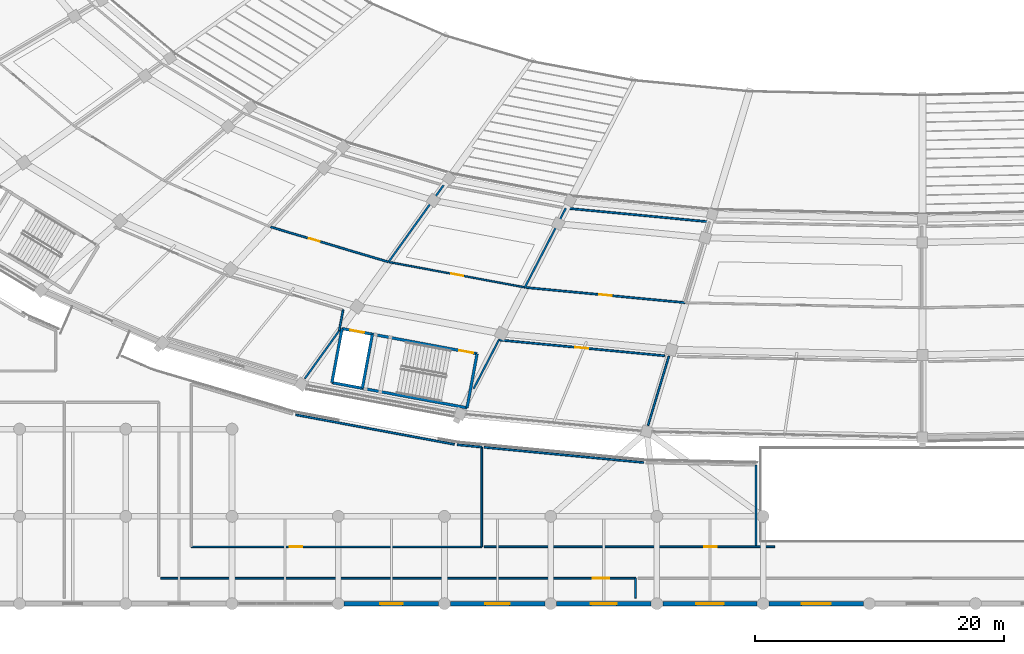
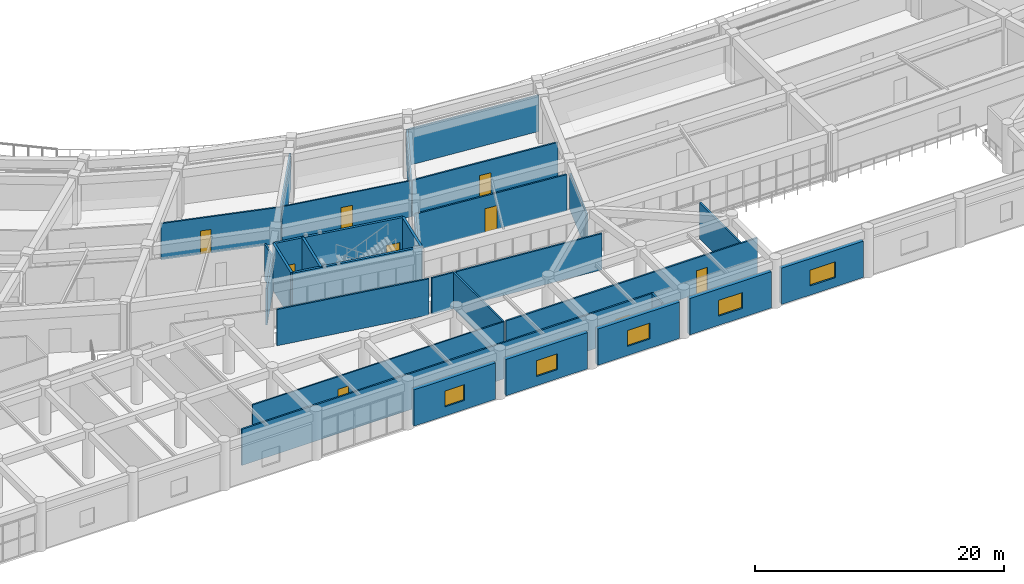
# One storey, part 97 of 152: 30 walls, 9 doors, 5 windows, 14 openings.
"""IFC4 building model written with IfcOpenShell, lengths in metres."""

from ifc_helpers import new_model, si_unit, direction, frame, frame_2d, origin, place, context, subcontext, project, spatial, rectangle, extrude, material, layer, layer_set, type_object, element, fill, save


model = new_model("IFC4")

# Units and contexts
model_context = context("Model", 3, precision=1e-05, world=origin(), true_north=direction((0.0, 1.0)))
body_context = subcontext(model_context, "Body", "Model", "MODEL_VIEW")
ifc_project = project(units=[si_unit("LENGTHUNIT", "METRE"), si_unit("AREAUNIT", "SQUARE_METRE"), si_unit("VOLUMEUNIT", "CUBIC_METRE"), si_unit("PLANEANGLEUNIT", "RADIAN"), si_unit("MASSUNIT", "GRAM", prefix="KILO")], contexts=[model_context])

# Site, building, storey
site_placement = place(None, origin())
site = spatial("IfcSite", under=ifc_project, at=site_placement, CompositionType="ELEMENT")
building_placement = place(site_placement, origin())
building = spatial("IfcBuilding", under=site, at=building_placement, Name="Mphavela Belvedere Stadium", CompositionType="ELEMENT")
storey_placement = place(building_placement, frame((0.0, 0.0, 5.39990234375)))
storey = spatial("IfcBuildingStorey", under=building, at=storey_placement, Name="L01", CompositionType="ELEMENT", Elevation=5.39990234375)

# Walls
ifc_material_1 = material(Name="Concrete C40/50", Category="concrete")
ifc_layer_1 = layer(ifc_material_1, 0.219970703125)
ifc_layer_set_1 = layer_set([ifc_layer_1], Name="Concrete C40/50")
wall_type_1 = type_object("IfcWallType", Name="WAL-CORE-SHEAR-220", PredefinedType="SHEAR", material=ifc_layer_set_1)
wall_1_placement = place(storey_placement, frame((78.477294921875, 15.707275390625, 0.0), z_axis=(0.0, 0.0, 1.0), x_axis=(-0.983093434234, 0.183104613723, 0.0)))
element("IfcWall", 1, at=wall_1_placement, inside=storey, type_object=wall_type_1, Name="Core C11 shear wall L01 rear", PredefinedType="SHEAR", context=body_context, shape_type="SweptSolid", body=[
    extrude(rectangle(XDim=11.02001953125, YDim=0.219970703125, at=frame_2d((5.510009765625, 0.0))), origin(), (0.0, 0.0, 1.0), 4.550048828125),
])
for number, where, z_axis, x_axis, name in (
    (2, (79.28466796875, 20.042724609375, 0.0), (0.0, 0.0, 1.0), (-0.183078394814, -0.983098317236, 0.0), "Core C11 shear wall L01 left"),
    (3, (68.450927734375, 22.060546875, 0.0), (0.0, 0.0, 1.0), (-0.183078394814, -0.983098317236, 0.0), "Core C11 shear wall L01 right"),
):
    element("IfcWall", number, at=place(storey_placement, frame(where, z_axis=z_axis, x_axis=x_axis)), inside=storey, type_object=wall_type_1, Name=name, PredefinedType="SHEAR", context=body_context, shape_type="SweptSolid", body=[
        extrude(rectangle(XDim=4.409912109375, YDim=0.219970703125, at=frame_2d((2.205078125, 0.0))), origin(), (0.0, 0.0, 1.0), 4.550048828125),
    ])

# Wall, openings, doors
wall_2_placement = place(storey_placement, frame((79.28466796875, 20.042724609375, 0.0), z_axis=(0.0, 0.0, 1.0), x_axis=(-0.983093434234, 0.183104613723, 0.0)))
wall_2 = element("IfcWall", 4, at=wall_2_placement, inside=storey, type_object=wall_type_1, Name="Core C11 shear wall L01 front", PredefinedType="SHEAR", context=body_context, shape_type="SweptSolid", body=[
    extrude(rectangle(XDim=11.02001953125, YDim=0.219970703125, at=frame_2d((5.510009765625, 0.0))), origin(), (0.0, 0.0, 1.0), 4.550048828125),
])
opening_1_placement = place(wall_2_placement, frame((0.300048828125, 0.0, 0.0)))
opening_1 = element("IfcOpeningElement", 5, at=opening_1_placement, cuts=wall_2, Name="Opening SD-058", PredefinedType="OPENING", context=body_context, shape_type="SweptSolid", body=[
    extrude(rectangle(XDim=1.14990234375, YDim=2.14990234375, at=frame_2d((0.574951171875, 1.074951171875))), frame((0.0, 0.1201171875, 0.0), z_axis=(0.0, -1.0, 0.0), x_axis=(1.0, 0.0, 0.0)), (0.0, 0.0, 1.0), 0.239990234375),
])
opening_2_placement = place(wall_2_placement, frame((9.22998046875, 0.0, 0.0)))
opening_2 = element("IfcOpeningElement", 6, at=opening_2_placement, cuts=wall_2, Name="Opening LD-058", PredefinedType="OPENING", context=body_context, shape_type="SweptSolid", body=[
    extrude(rectangle(XDim=1.10009765625, YDim=2.14990234375, at=frame_2d((0.550048828125, 1.074951171875))), frame((0.0, 0.1201171875, 0.0), z_axis=(0.0, -1.0, 0.0), x_axis=(1.0, 0.0, 0.0)), (0.0, 0.0, 1.0), 0.239990234375),
])
ifc_material_2 = material(Name="Stainless steel center-parting lift landing door", Category="steel")
door_type_1 = type_object("IfcDoorType", Name="DR-LIFT-SLIDE-1100", OperationType="NOTDEFINED", PredefinedType="DOOR", material=ifc_material_2)
door_1_placement = place(opening_2_placement, origin())
door_1 = element("IfcDoor", 7, at=door_1_placement, inside=storey, type_object=door_type_1, Name="Lift landing sliding door PL05 L01", OperationType="DOUBLE_DOOR_SLIDING", OverallHeight=2.14990234375, OverallWidth=1.10009765625, PredefinedType="DOOR", context=body_context, shape_type="SweptSolid", body=[
    extrude(rectangle(XDim=1.10009765625, YDim=2.14990234375, at=frame_2d((0.550048828125, 1.074951171875))), frame((0.0, 0.02490234375, 0.0), z_axis=(0.0, -1.0, 0.0), x_axis=(1.0, 0.0, 0.0)), (0.0, 0.0, 1.0), 0.050048828125),
])
fill(opening_2, door_1)
ifc_material_3 = material(Name="Steel acoustic fire-resisting stair doorset", Category="steel")
door_type_2 = type_object("IfcDoorType", Name="DR-STAIR-FIRE-1150", OperationType="NOTDEFINED", PredefinedType="DOOR", material=ifc_material_3)
door_2_placement = place(opening_1_placement, origin())
door_2 = element("IfcDoor", 8, at=door_2_placement, inside=storey, type_object=door_type_2, Name="Escape stair fire door C11 L01", OperationType="SINGLE_SWING_RIGHT", OverallHeight=2.14990234375, OverallWidth=1.14990234375, PredefinedType="DOOR", context=body_context, shape_type="SweptSolid", body=[
    extrude(rectangle(XDim=1.14990234375, YDim=2.14990234375, at=frame_2d((0.574951171875, 1.074951171875))), frame((0.0, 0.02490234375, 0.0), z_axis=(0.0, -1.0, 0.0), x_axis=(1.0, 0.0, 0.0)), (0.0, 0.0, 1.0), 0.050048828125),
])
fill(opening_1, door_2)

# Wall
wall_3_placement = place(storey_placement, frame((70.888916015625, 21.6064453125, 0.0), z_axis=(0.0, 0.0, 1.0), x_axis=(-0.183078394814, -0.983098317236, 0.0)))
element("IfcWall", 9, at=wall_3_placement, inside=storey, type_object=wall_type_1, Name="Core C11 shear wall L01 div", PredefinedType="SHEAR", context=body_context, shape_type="SweptSolid", body=[
    extrude(rectangle(XDim=4.409912109375, YDim=0.219970703125, at=frame_2d((2.205078125, 0.0))), origin(), (0.0, 0.0, 1.0), 4.550048828125),
])

# Wall, opening, window
ifc_material_4 = material(Name="Honed ashlar limestone masonry", Category="masonry")
ifc_layer_2 = layer(ifc_material_4, 0.35009765625)
ifc_layer_set_2 = layer_set([ifc_layer_2], Name="Honed ashlar limestone masonry")
wall_type_2 = type_object("IfcWallType", Name="WAL-EXT-ASHLAR-350", PredefinedType="STANDARD", material=ifc_layer_set_2)
wall_4_placement = place(storey_placement, frame((76.194091796875, 0.0, 0.0), z_axis=(0.0, 0.0, 1.0), x_axis=(-1.0, 0.0, 0.0)))
wall_4 = element("IfcWall", 10, at=wall_4_placement, inside=storey, type_object=wall_type_2, Name="South Axial Triumphal Peristyle Portico outer facade bay L01-09", PredefinedType="STANDARD", context=body_context, shape_type="SweptSolid", body=[
    extrude(rectangle(XDim=7.572998046875, YDim=0.35009765625, at=frame_2d((3.78662109375, 0.0))), origin(), (0.0, 0.0, 1.0), 3.56005859375),
])
opening_3_placement = place(wall_4_placement, frame((2.886474609375, 0.0, 0.89990234375)))
opening_3 = element("IfcOpeningElement", 11, at=opening_3_placement, cuts=wall_4, Name="Opening W-050", PredefinedType="OPENING", context=body_context, shape_type="SweptSolid", body=[
    extrude(rectangle(XDim=1.800048828125, YDim=1.550048828125, at=frame_2d((0.89990234375, 0.77490234375))), frame((0.0, 0.18505859375, 0.0), z_axis=(0.0, -1.0, 0.0), x_axis=(1.0, 0.0, 0.0)), (0.0, 0.0, 1.0), 0.3701171875),
])
ifc_material_5 = material(Name="Bronze-anodised thermally broken aluminium window", Category="aluminium")
window_type_1 = type_object("IfcWindowType", Name="WIN-EXT-06", PartitioningType="SINGLE_PANEL", PredefinedType="WINDOW", material=ifc_material_5)
window_1_placement = place(opening_3_placement, origin())
window_1 = element("IfcWindow", 12, at=window_1_placement, inside=storey, type_object=window_type_1, Name="South Axial Triumphal Peristyle Portico classical window W-050", OverallHeight=1.550048828125, OverallWidth=1.800048828125, PartitioningType="SINGLE_PANEL", PredefinedType="WINDOW", context=body_context, shape_type="SweptSolid", body=[
    extrude(rectangle(XDim=1.800048828125, YDim=1.550048828125, at=frame_2d((0.89990234375, 0.77490234375))), frame((0.0, 0.030029296875, 0.0), z_axis=(0.0, -1.0, 0.0), x_axis=(1.0, 0.0, 0.0)), (0.0, 0.0, 1.0), 0.06005859375),
])
fill(opening_3, window_1)

wall_5_placement = place(storey_placement, frame((84.7119140625, 0.0, 0.0), z_axis=(0.0, 0.0, 1.0), x_axis=(-1.0, 0.0, 0.0)))
wall_5 = element("IfcWall", 13, at=wall_5_placement, inside=storey, type_object=wall_type_2, Name="South Axial Triumphal Peristyle Portico outer facade bay L01-10", PredefinedType="STANDARD", context=body_context, shape_type="SweptSolid", body=[
    extrude(rectangle(XDim=7.572021484375, YDim=0.35009765625, at=frame_2d((3.7861328125, 0.0))), origin(), (0.0, 0.0, 1.0), 3.56005859375),
])
opening_4_placement = place(wall_5_placement, frame((2.81591796875, 0.0, 0.89990234375)))
opening_4 = element("IfcOpeningElement", 14, at=opening_4_placement, cuts=wall_5, Name="Opening W-051", PredefinedType="OPENING", context=body_context, shape_type="SweptSolid", body=[
    extrude(rectangle(XDim=1.93994140625, YDim=1.550048828125, at=frame_2d((0.969970703125, 0.77490234375))), frame((0.0, 0.18505859375, 0.0), z_axis=(0.0, -1.0, 0.0), x_axis=(1.0, 0.0, 0.0)), (0.0, 0.0, 1.0), 0.3701171875),
])
ifc_material_6 = material(Name="Bronze-anodised thermally broken aluminium window", Category="aluminium")
window_type_2 = type_object("IfcWindowType", Name="WIN-EXT-07", PartitioningType="SINGLE_PANEL", PredefinedType="WINDOW", material=ifc_material_6)
window_2_placement = place(opening_4_placement, origin())
window_2 = element("IfcWindow", 15, at=window_2_placement, inside=storey, type_object=window_type_2, Name="South Axial Triumphal Peristyle Portico classical window W-051", OverallHeight=1.550048828125, OverallWidth=1.93994140625, PartitioningType="SINGLE_PANEL", PredefinedType="WINDOW", context=body_context, shape_type="SweptSolid", body=[
    extrude(rectangle(XDim=1.93994140625, YDim=1.550048828125, at=frame_2d((0.969970703125, 0.77490234375))), frame((0.0, 0.030029296875, 0.0), z_axis=(0.0, -1.0, 0.0), x_axis=(1.0, 0.0, 0.0)), (0.0, 0.0, 1.0), 0.06005859375),
])
fill(opening_4, window_2)

wall_6_placement = place(storey_placement, frame((93.23095703125, 0.0, 0.0), z_axis=(0.0, 0.0, 1.0), x_axis=(-1.0, 0.0, 0.0)))
wall_6 = element("IfcWall", 16, at=wall_6_placement, inside=storey, type_object=wall_type_2, Name="South Axial Triumphal Peristyle Portico outer facade bay L01-11", PredefinedType="STANDARD", context=body_context, shape_type="SweptSolid", body=[
    extrude(rectangle(XDim=7.572998046875, YDim=0.35009765625, at=frame_2d((3.78662109375, 0.0))), origin(), (0.0, 0.0, 1.0), 3.56005859375),
])
opening_5_placement = place(wall_6_placement, frame((2.74658203125, 0.0, 0.89990234375)))
opening_5 = element("IfcOpeningElement", 17, at=opening_5_placement, cuts=wall_6, Name="Opening W-052", PredefinedType="OPENING", context=body_context, shape_type="SweptSolid", body=[
    extrude(rectangle(XDim=2.080078125, YDim=1.550048828125, at=frame_2d((1.0400390625, 0.77490234375))), frame((0.0, 0.18505859375, 0.0), z_axis=(0.0, -1.0, 0.0), x_axis=(1.0, 0.0, 0.0)), (0.0, 0.0, 1.0), 0.3701171875),
])
ifc_material_7 = material(Name="Bronze-anodised thermally broken aluminium window", Category="aluminium")
window_type_3 = type_object("IfcWindowType", Name="WIN-EXT-08", PartitioningType="SINGLE_PANEL", PredefinedType="WINDOW", material=ifc_material_7)
window_3_placement = place(opening_5_placement, origin())
window_3 = element("IfcWindow", 18, at=window_3_placement, inside=storey, type_object=window_type_3, Name="South Axial Triumphal Peristyle Portico classical window W-052", OverallHeight=1.550048828125, OverallWidth=2.080078125, PartitioningType="SINGLE_PANEL", PredefinedType="WINDOW", context=body_context, shape_type="SweptSolid", body=[
    extrude(rectangle(XDim=2.080078125, YDim=1.550048828125, at=frame_2d((1.0400390625, 0.77490234375))), frame((0.0, 0.030029296875, 0.0), z_axis=(0.0, -1.0, 0.0), x_axis=(1.0, 0.0, 0.0)), (0.0, 0.0, 1.0), 0.06005859375),
])
fill(opening_5, window_3)

wall_7_placement = place(storey_placement, frame((101.7490234375, 0.0, 0.0), z_axis=(0.0, 0.0, 1.0), x_axis=(-1.0, 0.0, 0.0)))
wall_7 = element("IfcWall", 19, at=wall_7_placement, inside=storey, type_object=wall_type_2, Name="South Axial Triumphal Peristyle Portico outer facade bay L01-12", PredefinedType="STANDARD", context=body_context, shape_type="SweptSolid", body=[
    extrude(rectangle(XDim=7.572021484375, YDim=0.35009765625, at=frame_2d((3.7861328125, 0.0))), origin(), (0.0, 0.0, 1.0), 3.56005859375),
])
opening_6_placement = place(wall_7_placement, frame((2.676025390625, 0.0, 0.89990234375)))
opening_6 = element("IfcOpeningElement", 20, at=opening_6_placement, cuts=wall_7, Name="Opening W-053", PredefinedType="OPENING", context=body_context, shape_type="SweptSolid", body=[
    extrude(rectangle(XDim=2.219970703125, YDim=1.550048828125, at=frame_2d((1.10986328125, 0.77490234375))), frame((0.0, 0.18505859375, 0.0), z_axis=(0.0, -1.0, 0.0), x_axis=(1.0, 0.0, 0.0)), (0.0, 0.0, 1.0), 0.3701171875),
])
ifc_material_8 = material(Name="Bronze-anodised thermally broken aluminium window", Category="aluminium")
window_type_4 = type_object("IfcWindowType", Name="WIN-EXT-09", PartitioningType="SINGLE_PANEL", PredefinedType="WINDOW", material=ifc_material_8)
window_4_placement = place(opening_6_placement, origin())
window_4 = element("IfcWindow", 21, at=window_4_placement, inside=storey, type_object=window_type_4, Name="South Axial Triumphal Peristyle Portico classical window W-053", OverallHeight=1.550048828125, OverallWidth=2.219970703125, PartitioningType="SINGLE_PANEL", PredefinedType="WINDOW", context=body_context, shape_type="SweptSolid", body=[
    extrude(rectangle(XDim=2.219970703125, YDim=1.550048828125, at=frame_2d((1.10986328125, 0.77490234375))), frame((0.0, 0.030029296875, 0.0), z_axis=(0.0, -1.0, 0.0), x_axis=(1.0, 0.0, 0.0)), (0.0, 0.0, 1.0), 0.06005859375),
])
fill(opening_6, window_4)

wall_8_placement = place(storey_placement, frame((110.26806640625, 0.0, 0.0), z_axis=(0.0, 0.0, 1.0), x_axis=(-1.0, 0.0, 0.0)))
wall_8 = element("IfcWall", 22, at=wall_8_placement, inside=storey, type_object=wall_type_2, Name="South Axial Triumphal Peristyle Portico outer facade bay L01-13", PredefinedType="STANDARD", context=body_context, shape_type="SweptSolid", body=[
    extrude(rectangle(XDim=7.572998046875, YDim=0.35009765625, at=frame_2d((3.78662109375, 0.0))), origin(), (0.0, 0.0, 1.0), 3.56005859375),
])
opening_7_placement = place(wall_8_placement, frame((2.6064453125, 0.0, 0.89990234375)))
opening_7 = element("IfcOpeningElement", 23, at=opening_7_placement, cuts=wall_8, Name="Opening W-054", PredefinedType="OPENING", context=body_context, shape_type="SweptSolid", body=[
    extrude(rectangle(XDim=2.360107421875, YDim=1.550048828125, at=frame_2d((1.18017578125, 0.77490234375))), frame((0.0, 0.18505859375, 0.0), z_axis=(0.0, -1.0, 0.0), x_axis=(1.0, 0.0, 0.0)), (0.0, 0.0, 1.0), 0.3701171875),
])
ifc_material_9 = material(Name="Bronze-anodised thermally broken aluminium window", Category="aluminium")
window_type_5 = type_object("IfcWindowType", Name="WIN-EXT-10", PartitioningType="SINGLE_PANEL", PredefinedType="WINDOW", material=ifc_material_9)
window_5_placement = place(opening_7_placement, origin())
window_5 = element("IfcWindow", 24, at=window_5_placement, inside=storey, type_object=window_type_5, Name="South Axial Triumphal Peristyle Portico classical window W-054", OverallHeight=1.550048828125, OverallWidth=2.360107421875, PartitioningType="SINGLE_PANEL", PredefinedType="WINDOW", context=body_context, shape_type="SweptSolid", body=[
    extrude(rectangle(XDim=2.360107421875, YDim=1.550048828125, at=frame_2d((1.18017578125, 0.77490234375))), frame((0.0, 0.030029296875, 0.0), z_axis=(0.0, -1.0, 0.0), x_axis=(1.0, 0.0, 0.0)), (0.0, 0.0, 1.0), 0.06005859375),
])
fill(opening_7, window_5)

# Wall, opening, door
ifc_material_10 = material(Name="Moisture-resistant sanitary partition assembly")
ifc_layer_3 = layer(ifc_material_10, 0.125)
ifc_layer_set_3 = layer_set([ifc_layer_3], Name="Moisture-resistant sanitary partition assembly")
wall_type_3 = type_object("IfcWallType", Name="WAL-PART-125", PredefinedType="PARTITIONING", material=ifc_layer_set_3)
wall_9_placement = place(storey_placement, frame((83.116455078125, 25.365478515625, 0.0), z_axis=(0.0, 0.0, 1.0), x_axis=(-0.983097372707, 0.183083466695, 0.0)))
wall_9 = element("IfcWall", 25, at=wall_9_placement, inside=storey, type_object=wall_type_3, Name="Room L01-120 corridor partition", PredefinedType="PARTITIONING", context=body_context, shape_type="SweptSolid", body=[
    extrude(rectangle(XDim=11.03466796875, YDim=0.125, at=frame_2d((5.517333984375, 0.0))), origin(), (0.0, 0.0, 1.0), 3.550048828125),
])
opening_8_placement = place(wall_9_placement, frame((5.02734375, 0.0, 0.0)))
opening_8 = element("IfcOpeningElement", 26, at=opening_8_placement, cuts=wall_9, Name="Opening ID-135", PredefinedType="OPENING", context=body_context, shape_type="SweptSolid", body=[
    extrude(rectangle(XDim=0.97998046875, YDim=2.300048828125, at=frame_2d((0.489990234375, 1.14990234375))), frame((0.0, 0.072509765625, 0.0), z_axis=(0.0, -1.0, 0.0), x_axis=(1.0, 0.0, 0.0)), (0.0, 0.0, 1.0), 0.14501953125),
])
ifc_material_11 = material(Name="Hardwood acoustic timber doorset", Category="wood")
door_type_3 = type_object("IfcDoorType", Name="DR-INT-27", OperationType="NOTDEFINED", PredefinedType="DOOR", material=ifc_material_11)
door_3_placement = place(opening_8_placement, origin())
door_3 = element("IfcDoor", 27, at=door_3_placement, inside=storey, type_object=door_type_3, Name="Room L01-120 entrance door ID-135", OperationType="SINGLE_SWING_LEFT", OverallHeight=2.300048828125, OverallWidth=0.97998046875, PredefinedType="DOOR", context=body_context, shape_type="SweptSolid", body=[
    extrude(rectangle(XDim=0.97998046875, YDim=2.300048828125, at=frame_2d((0.489990234375, 1.14990234375))), frame((0.0, 0.02490234375, 0.0), z_axis=(0.0, -1.0, 0.0), x_axis=(1.0, 0.0, 0.0)), (0.0, 0.0, 1.0), 0.050048828125),
])
fill(opening_8, door_3)

wall_10_placement = place(storey_placement, frame((79.656005859375, 4.56005859375, 0.0), z_axis=(0.0, 0.0, 1.0), x_axis=(-1.0, 0.0, 0.0)))
wall_10 = element("IfcWall", 28, at=wall_10_placement, inside=storey, type_object=wall_type_3, Name="Room L01-168 corridor partition", PredefinedType="PARTITIONING", context=body_context, shape_type="SweptSolid", body=[
    extrude(rectangle(XDim=23.2958984375, YDim=0.125, at=frame_2d((11.64794921875, 0.0))), origin(), (0.0, 0.0, 1.0), 3.550048828125),
])
opening_9_placement = place(wall_10_placement, frame((14.409423828125, 0.0, 0.0)))
opening_9 = element("IfcOpeningElement", 29, at=opening_9_placement, cuts=wall_10, Name="Opening ID-387", PredefinedType="OPENING", context=body_context, shape_type="SweptSolid", body=[
    extrude(rectangle(XDim=0.97998046875, YDim=2.300048828125, at=frame_2d((0.489990234375, 1.14990234375))), frame((0.0, 0.072509765625, 0.0), z_axis=(0.0, -1.0, 0.0), x_axis=(1.0, 0.0, 0.0)), (0.0, 0.0, 1.0), 0.14501953125),
])
door_4_placement = place(opening_9_placement, origin())
door_4 = element("IfcDoor", 30, at=door_4_placement, inside=storey, type_object=door_type_3, Name="Room L01-168 entrance door ID-387", OperationType="SINGLE_SWING_LEFT", OverallHeight=2.300048828125, OverallWidth=0.97998046875, PredefinedType="DOOR", context=body_context, shape_type="SweptSolid", body=[
    extrude(rectangle(XDim=0.97998046875, YDim=2.300048828125, at=frame_2d((0.489990234375, 1.14990234375))), frame((0.0, 0.02490234375, 0.0), z_axis=(0.0, -1.0, 0.0), x_axis=(1.0, 0.0, 0.0)), (0.0, 0.0, 1.0), 0.050048828125),
])
fill(opening_9, door_4)

ifc_material_12 = material(Name="Acoustic gypsum stud partition assembly")
ifc_layer_4 = layer(ifc_material_12, 0.14990234375)
ifc_layer_set_4 = layer_set([ifc_layer_4], Name="Acoustic gypsum stud partition assembly")
wall_type_4 = type_object("IfcWallType", Name="WAL-PART-150", PredefinedType="PARTITIONING", material=ifc_layer_set_4)
wall_11_placement = place(storey_placement, frame((72.183349609375, 27.404296875, 0.0), z_axis=(0.0, 0.0, 1.0), x_axis=(-0.958655809656, 0.284568161629, 0.0)))
wall_11 = element("IfcWall", 31, at=wall_11_placement, inside=storey, type_object=wall_type_4, Name="Room L01-117 corridor partition", PredefinedType="PARTITIONING", context=body_context, shape_type="SweptSolid", body=[
    extrude(rectangle(XDim=9.89111328125, YDim=0.14990234375, at=frame_2d((4.945556640625, 0.0))), origin(), (0.0, 0.0, 1.0), 3.550048828125),
])
opening_10_placement = place(wall_11_placement, frame((5.748291015625, 0.0, 0.0)))
opening_10 = element("IfcOpeningElement", 32, at=opening_10_placement, cuts=wall_11, Name="Opening ID-133", PredefinedType="OPENING", context=body_context, shape_type="SweptSolid", body=[
    extrude(rectangle(XDim=0.89990234375, YDim=2.300048828125, at=frame_2d((0.449951171875, 1.14990234375))), frame((0.0, 0.0849609375, 0.0), z_axis=(0.0, -1.0, 0.0), x_axis=(1.0, 0.0, 0.0)), (0.0, 0.0, 1.0), 0.169921875),
])
ifc_material_13 = material(Name="Hardwood acoustic timber doorset", Category="wood")
door_type_4 = type_object("IfcDoorType", Name="DR-INT-25", OperationType="NOTDEFINED", PredefinedType="DOOR", material=ifc_material_13)
door_5_placement = place(opening_10_placement, origin())
door_5 = element("IfcDoor", 33, at=door_5_placement, inside=storey, type_object=door_type_4, Name="Room L01-117 entrance door ID-133", OperationType="SINGLE_SWING_LEFT", OverallHeight=2.300048828125, OverallWidth=0.89990234375, PredefinedType="DOOR", context=body_context, shape_type="SweptSolid", body=[
    extrude(rectangle(XDim=0.89990234375, YDim=2.300048828125, at=frame_2d((0.449951171875, 1.14990234375))), frame((0.0, 0.02490234375, 0.0), z_axis=(0.0, -1.0, 0.0), x_axis=(1.0, 0.0, 0.0)), (0.0, 0.0, 1.0), 0.050048828125),
])
fill(opening_10, door_5)

wall_12_placement = place(storey_placement, frame((95.965087890625, 24.1376953125, 0.0), z_axis=(0.0, 0.0, 1.0), x_axis=(-0.995485111947, 0.094917816515, 0.0)))
wall_12 = element("IfcWall", 34, at=wall_12_placement, inside=storey, type_object=wall_type_4, Name="Room L01-122 corridor partition", PredefinedType="PARTITIONING", context=body_context, shape_type="SweptSolid", body=[
    extrude(rectangle(XDim=12.822021484375, YDim=0.14990234375, at=frame_2d((6.4111328125, 0.0))), origin(), (0.0, 0.0, 1.0), 3.550048828125),
])
opening_11_placement = place(wall_12_placement, frame((5.90087890625, 0.0, 0.0)))
opening_11 = element("IfcOpeningElement", 35, at=opening_11_placement, cuts=wall_12, Name="Opening ID-136", PredefinedType="OPENING", context=body_context, shape_type="SweptSolid", body=[
    extrude(rectangle(XDim=1.02001953125, YDim=2.300048828125, at=frame_2d((0.510009765625, 1.14990234375))), frame((0.0, 0.0849609375, 0.0), z_axis=(0.0, -1.0, 0.0), x_axis=(1.0, 0.0, 0.0)), (0.0, 0.0, 1.0), 0.169921875),
])
ifc_material_14 = material(Name="Hardwood acoustic timber doorset", Category="wood")
door_type_5 = type_object("IfcDoorType", Name="DR-INT-28", OperationType="NOTDEFINED", PredefinedType="DOOR", material=ifc_material_14)
door_6_placement = place(opening_11_placement, origin())
door_6 = element("IfcDoor", 36, at=door_6_placement, inside=storey, type_object=door_type_5, Name="Room L01-122 entrance door ID-136", OperationType="SINGLE_SWING_RIGHT", OverallHeight=2.300048828125, OverallWidth=1.02001953125, PredefinedType="DOOR", context=body_context, shape_type="SweptSolid", body=[
    extrude(rectangle(XDim=1.02001953125, YDim=2.300048828125, at=frame_2d((0.510009765625, 1.14990234375))), frame((0.0, 0.02490234375, 0.0), z_axis=(0.0, -1.0, 0.0), x_axis=(1.0, 0.0, 0.0)), (0.0, 0.0, 1.0), 0.050048828125),
])
fill(opening_11, door_6)

wall_13_placement = place(storey_placement, frame((81.028076171875, 21.148193359375, 0.0), z_axis=(0.0, 0.0, 1.0), x_axis=(0.995484535327, -0.094923863827, 0.0)))
wall_13 = element("IfcWall", 37, at=wall_13_placement, inside=storey, type_object=wall_type_4, Name="Room L01-123 corridor partition", PredefinedType="PARTITIONING", context=body_context, shape_type="SweptSolid", body=[
    extrude(rectangle(XDim=13.35107421875, YDim=0.14990234375, at=frame_2d((6.675537109375, 0.0))), origin(), (0.0, 0.0, 1.0), 3.550048828125),
])
opening_12_placement = place(wall_13_placement, frame((6.1455078125, 0.0, 0.0)))
opening_12 = element("IfcOpeningElement", 38, at=opening_12_placement, cuts=wall_13, Name="Opening ID-137", PredefinedType="OPENING", context=body_context, shape_type="SweptSolid", body=[
    extrude(rectangle(XDim=1.06005859375, YDim=2.300048828125, at=frame_2d((0.530029296875, 1.14990234375))), frame((0.0, 0.0849609375, 0.0), z_axis=(0.0, -1.0, 0.0), x_axis=(1.0, 0.0, 0.0)), (0.0, 0.0, 1.0), 0.169921875),
])
ifc_material_15 = material(Name="Hardwood acoustic timber doorset", Category="wood")
door_type_6 = type_object("IfcDoorType", Name="DR-INT-29", OperationType="NOTDEFINED", PredefinedType="DOOR", material=ifc_material_15)
door_7_placement = place(opening_12_placement, origin())
door_7 = element("IfcDoor", 39, at=door_7_placement, inside=storey, type_object=door_type_6, Name="Room L01-123 entrance door ID-137", OperationType="SINGLE_SWING_LEFT", OverallHeight=2.300048828125, OverallWidth=1.06005859375, PredefinedType="DOOR", context=body_context, shape_type="SweptSolid", body=[
    extrude(rectangle(XDim=1.06005859375, YDim=2.300048828125, at=frame_2d((0.530029296875, 1.14990234375))), frame((0.0, 0.02490234375, 0.0), z_axis=(0.0, -1.0, 0.0), x_axis=(1.0, 0.0, 0.0)), (0.0, 0.0, 1.0), 0.050048828125),
])
fill(opening_12, door_7)

wall_14_placement = place(storey_placement, frame((53.89990234375, 2.0400390625, 0.0), z_axis=(0.0, 0.0, 1.0), x_axis=(1.0, 0.0, 0.0)))
wall_14 = element("IfcWall", 40, at=wall_14_placement, inside=storey, type_object=wall_type_4, Name="Room L01-164 corridor partition", PredefinedType="PARTITIONING", context=body_context, shape_type="SweptSolid", body=[
    extrude(rectangle(XDim=38.090087890625, YDim=0.14990234375, at=frame_2d((19.044921875, 0.0))), origin(), (0.0, 0.0, 1.0), 3.550048828125),
])
opening_13_placement = place(wall_14_placement, frame((34.6435546875, 0.0, 0.0)))
opening_13 = element("IfcOpeningElement", 41, at=opening_13_placement, cuts=wall_14, Name="Opening ID-383", PredefinedType="OPENING", context=body_context, shape_type="SweptSolid", body=[
    extrude(rectangle(XDim=1.320068359375, YDim=2.199951171875, at=frame_2d((0.66015625, 1.10009765625))), frame((0.0, 0.0849609375, 0.0), z_axis=(0.0, -1.0, 0.0), x_axis=(1.0, 0.0, 0.0)), (0.0, 0.0, 1.0), 0.169921875),
])
ifc_material_16 = material(Name="Hardwood acoustic timber doorset", Category="wood")
door_type_7 = type_object("IfcDoorType", Name="DR-INT-23", OperationType="NOTDEFINED", PredefinedType="DOOR", material=ifc_material_16)
door_8_placement = place(opening_13_placement, origin())
door_8 = element("IfcDoor", 42, at=door_8_placement, inside=storey, type_object=door_type_7, Name="Room L01-164 entrance door ID-383", OperationType="SINGLE_SWING_LEFT", OverallHeight=2.199951171875, OverallWidth=1.320068359375, PredefinedType="DOOR", context=body_context, shape_type="SweptSolid", body=[
    extrude(rectangle(XDim=1.320068359375, YDim=2.199951171875, at=frame_2d((0.66015625, 1.10009765625))), frame((0.0, 0.02490234375, 0.0), z_axis=(0.0, -1.0, 0.0), x_axis=(1.0, 0.0, 0.0)), (0.0, 0.0, 1.0), 0.050048828125),
])
fill(opening_13, door_8)

wall_15_placement = place(storey_placement, frame((103.152099609375, 4.56005859375, 0.0), z_axis=(0.0, 0.0, 1.0), x_axis=(-1.0, 0.0, 0.0)))
wall_15 = element("IfcWall", 43, at=wall_15_placement, inside=storey, type_object=wall_type_4, Name="Room L01-169 corridor partition", PredefinedType="PARTITIONING", context=body_context, shape_type="SweptSolid", body=[
    extrude(rectangle(XDim=23.296142578125, YDim=0.14990234375, at=frame_2d((11.64794921875, 0.0))), origin(), (0.0, 0.0, 1.0), 3.550048828125),
])
opening_14_placement = place(wall_15_placement, frame((4.647216796875, 0.0, 0.0)))
opening_14 = element("IfcOpeningElement", 44, at=opening_14_placement, cuts=wall_15, Name="Opening ID-388", PredefinedType="OPENING", context=body_context, shape_type="SweptSolid", body=[
    extrude(rectangle(XDim=1.02001953125, YDim=2.300048828125, at=frame_2d((0.510009765625, 1.14990234375))), frame((0.0, 0.0849609375, 0.0), z_axis=(0.0, -1.0, 0.0), x_axis=(1.0, 0.0, 0.0)), (0.0, 0.0, 1.0), 0.169921875),
])
door_9_placement = place(opening_14_placement, origin())
door_9 = element("IfcDoor", 45, at=door_9_placement, inside=storey, type_object=door_type_5, Name="Room L01-169 entrance door ID-388", OperationType="SINGLE_SWING_RIGHT", OverallHeight=2.300048828125, OverallWidth=1.02001953125, PredefinedType="DOOR", context=body_context, shape_type="SweptSolid", body=[
    extrude(rectangle(XDim=1.02001953125, YDim=2.300048828125, at=frame_2d((0.510009765625, 1.14990234375))), frame((0.0, 0.02490234375, 0.0), z_axis=(0.0, -1.0, 0.0), x_axis=(1.0, 0.0, 0.0)), (0.0, 0.0, 1.0), 0.050048828125),
])
fill(opening_14, door_9)

# Walls
wall_16_placement = place(storey_placement, frame((76.59716796875, 33.55517578125, 0.0), z_axis=(0.0, 0.0, 1.0), x_axis=(-0.583015250335, -0.812461210075, 0.0)))
element("IfcWall", 46, at=wall_16_placement, inside=storey, type_object=wall_type_4, Name="Room divider partition L01-0236", PredefinedType="PARTITIONING", context=body_context, shape_type="SweptSolid", body=[
    extrude(rectangle(XDim=7.570556640625, YDim=0.14990234375, at=frame_2d((3.78515625, 0.0))), origin(), (0.0, 0.0, 1.0), 3.550048828125),
])
wall_17_placement = place(storey_placement, frame((68.536865234375, 23.55908203125, 0.0), z_axis=(0.0, 0.0, 1.0), x_axis=(-0.183185863857, -0.983078297636, 0.0)))
element("IfcWall", 47, at=wall_17_placement, inside=storey, type_object=wall_type_4, Name="Room divider partition L01-0237", PredefinedType="PARTITIONING", context=body_context, shape_type="SweptSolid", body=[
    extrude(rectangle(XDim=1.697998046875, YDim=0.14990234375, at=frame_2d((0.84912109375, 0.0))), origin(), (0.0, 0.0, 1.0), 3.550048828125),
])
wall_18_placement = place(storey_placement, frame((68.225830078125, 21.889892578125, 0.0), z_axis=(0.0, 0.0, 1.0), x_axis=(-0.583007019162, -0.812467116632, 0.0)))
element("IfcWall", 48, at=wall_18_placement, inside=storey, type_object=wall_type_4, Name="Room divider partition L01-0238", PredefinedType="PARTITIONING", context=body_context, shape_type="SweptSolid", body=[
    extrude(rectangle(XDim=4.73583984375, YDim=0.14990234375, at=frame_2d((2.367919921875, 0.0))), origin(), (0.0, 0.0, 1.0), 3.550048828125),
])
wall_19_placement = place(storey_placement, frame((86.400634765625, 31.72314453125, 0.0), z_axis=(0.0, 0.0, 1.0), x_axis=(-0.458952278776, -0.888460919685, 0.0)))
element("IfcWall", 49, at=wall_19_placement, inside=storey, type_object=wall_type_4, Name="Room divider partition L01-0241", PredefinedType="PARTITIONING", context=body_context, shape_type="SweptSolid", body=[
    extrude(rectangle(XDim=7.15576171875, YDim=0.14990234375, at=frame_2d((3.577880859375, 0.0))), origin(), (0.0, 0.0, 1.0), 3.550048828125),
])
wall_20_placement = place(storey_placement, frame((86.48388671875, 31.710205078125, 0.0), z_axis=(0.0, 0.0, 1.0), x_axis=(0.995484580871, -0.094923386203, 0.0)))
element("IfcWall", 50, at=wall_20_placement, inside=storey, type_object=wall_type_4, Name="Room divider partition L01-0242", PredefinedType="PARTITIONING", context=body_context, shape_type="SweptSolid", body=[
    extrude(rectangle(XDim=11.49169921875, YDim=0.14990234375, at=frame_2d((5.745849609375, 0.0))), origin(), (0.0, 0.0, 1.0), 3.550048828125),
])
wall_21_placement = place(storey_placement, frame((79.005615234375, 17.23291015625, 0.0), z_axis=(0.0, 0.0, 1.0), x_axis=(0.458942068402, 0.888466193983, 0.0)))
element("IfcWall", 51, at=wall_21_placement, inside=storey, type_object=wall_type_4, Name="Room divider partition L01-0244", PredefinedType="PARTITIONING", context=body_context, shape_type="SweptSolid", body=[
    extrude(rectangle(XDim=4.40673828125, YDim=0.14990234375, at=frame_2d((2.203369140625, 0.0))), origin(), (0.0, 0.0, 1.0), 3.550048828125),
])
wall_22_placement = place(storey_placement, frame((94.6689453125, 19.847412109375, 0.0), z_axis=(0.0, 0.0, 1.0), x_axis=(-0.289236092688, -0.957257793223, 0.0)))
element("IfcWall", 52, at=wall_22_placement, inside=storey, type_object=wall_type_4, Name="Room divider partition L01-0245", PredefinedType="PARTITIONING", context=body_context, shape_type="SweptSolid", body=[
    extrude(rectangle(XDim=5.798828125, YDim=0.14990234375, at=frame_2d((2.8994140625, 0.0))), origin(), (0.0, 0.0, 1.0), 3.550048828125),
])
wall_23_placement = place(storey_placement, frame((91.989990234375, 2.0400390625, 0.0), z_axis=(0.0, 0.0, 1.0), x_axis=(0.0, -1.0, 0.0)))
element("IfcWall", 53, at=wall_23_placement, inside=storey, type_object=wall_type_4, Name="Room divider partition L01-0712", PredefinedType="PARTITIONING", context=body_context, shape_type="SweptSolid", body=[
    extrude(rectangle(XDim=1.590087890625, YDim=0.14990234375, at=frame_2d((0.794921875, 0.0))), origin(), (0.0, 0.0, 1.0), 3.550048828125),
])
wall_24_placement = place(storey_placement, frame((64.7412109375, 15.1455078125, 0.0), z_axis=(0.0, 0.0, 1.0), x_axis=(0.983094545276, -0.183098648406, 0.0)))
element("IfcWall", 54, at=wall_24_placement, inside=storey, type_object=wall_type_4, Name="Room divider partition L01-0728", PredefinedType="PARTITIONING", context=body_context, shape_type="SweptSolid", body=[
    extrude(rectangle(XDim=12.947265625, YDim=0.14990234375, at=frame_2d((6.4736328125, 0.0))), origin(), (0.0, 0.0, 1.0), 3.550048828125),
])
wall_25_placement = place(storey_placement, frame((77.68994140625, 12.743896484375, 0.0), z_axis=(0.0, 0.0, 1.0), x_axis=(0.995483241572, -0.094937430712, 0.0)))
element("IfcWall", 55, at=wall_25_placement, inside=storey, type_object=wall_type_4, Name="Room divider partition L01-0729", PredefinedType="PARTITIONING", context=body_context, shape_type="SweptSolid", body=[
    extrude(rectangle(XDim=1.97509765625, YDim=0.14990234375, at=frame_2d((0.987548828125, 0.0))), origin(), (0.0, 0.0, 1.0), 3.550048828125),
])
wall_26_placement = place(storey_placement, frame((79.656005859375, 12.556396484375, 0.0), z_axis=(0.0, 0.0, 1.0), x_axis=(0.0, -1.0, 0.0)))
element("IfcWall", 56, at=wall_26_placement, inside=storey, type_object=wall_type_4, Name="Room divider partition L01-0730", PredefinedType="PARTITIONING", context=body_context, shape_type="SweptSolid", body=[
    extrude(rectangle(XDim=7.996337890625, YDim=0.14990234375, at=frame_2d((3.998046875, 0.0))), origin(), (0.0, 0.0, 1.0), 3.550048828125),
])
wall_27_placement = place(storey_placement, frame((101.64990234375, 11.116943359375, 0.0), z_axis=(0.0, 0.0, 1.0), x_axis=(0.0, -1.0, 0.0)))
element("IfcWall", 57, at=wall_27_placement, inside=storey, type_object=wall_type_4, Name="Room divider partition L01-0734", PredefinedType="PARTITIONING", context=body_context, shape_type="SweptSolid", body=[
    extrude(rectangle(XDim=6.467041015625, YDim=0.14990234375, at=frame_2d((3.2333984375, 0.0))), origin(), (0.0, 0.0, 1.0), 3.550048828125),
])
wall_28_placement = place(storey_placement, frame((79.85595703125, 12.537353515625, 0.0), z_axis=(0.0, 0.0, 1.0), x_axis=(0.995483253835, -0.094937302124, 0.0)))
element("IfcWall", 58, at=wall_28_placement, inside=storey, type_object=wall_type_4, Name="Room divider partition L01-0735", PredefinedType="PARTITIONING", context=body_context, shape_type="SweptSolid", body=[
    extrude(rectangle(XDim=12.850341796875, YDim=0.14990234375, at=frame_2d((6.42529296875, 0.0))), origin(), (0.0, 0.0, 1.0), 3.550048828125),
])

save(model, "model.ifc")
